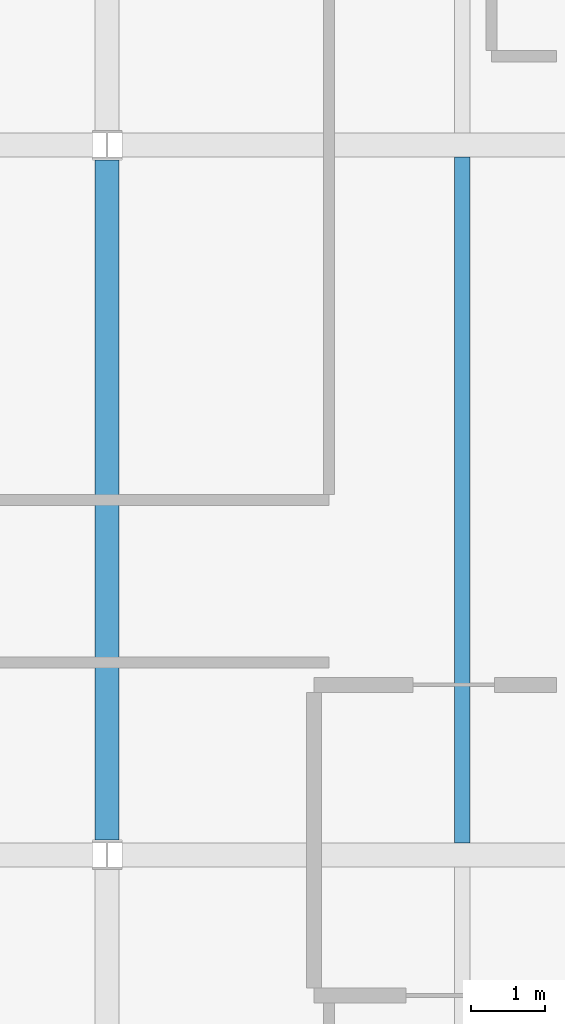
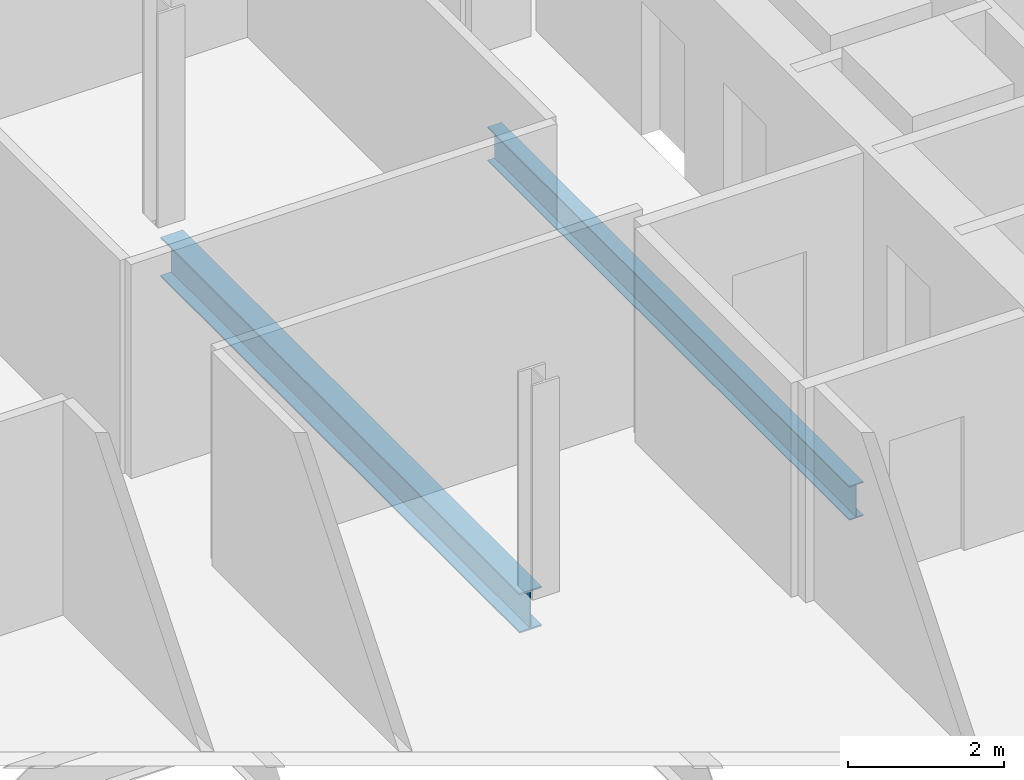
# One storey, part 5 of 16: 2 beams.
"""IFC4 building model written with IfcOpenShell, lengths in metres."""

from ifc_helpers import new_model, si_unit, direction, frame, origin, origin_2d, place, context, subcontext, project, spatial, i_section, extrude, material, material_profile, profile_set, type_object, element, save


model = new_model("IFC4")

# Units and contexts
model_context = context("Model", 3, precision=1e-05, world=origin(), true_north=direction((0.0, 1.0)))
body_context = subcontext(model_context, "Body", "Model", "MODEL_VIEW")
ifc_project = project(units=[si_unit("LENGTHUNIT", "METRE"), si_unit("AREAUNIT", "SQUARE_METRE"), si_unit("VOLUMEUNIT", "CUBIC_METRE"), si_unit("PLANEANGLEUNIT", "RADIAN"), si_unit("MASSUNIT", "GRAM", prefix="KILO")], contexts=[model_context])

# Site, building, storey
site_placement = place(None, origin())
site = spatial("IfcSite", under=ifc_project, at=site_placement, CompositionType="ELEMENT")
building_placement = place(site_placement, origin())
building = spatial("IfcBuilding", under=site, at=building_placement, Name="Cobrizo Arcos Hotel Tower", CompositionType="ELEMENT")
storey_placement = place(building_placement, frame((0.0, 0.0, 113.5)))
storey = spatial("IfcBuildingStorey", under=building, at=storey_placement, Name="L28", CompositionType="ELEMENT", Elevation=113.5)

# Beams
ifc_material = material(Name="Steel ASTM A992 Grade 50", Category="steel")
ifc_material_profile_1 = material_profile(ifc_material, i_section(OverallWidth=0.209228515625, OverallDepth=0.533447265625, WebThickness=0.01025390625, FlangeThickness=0.015625, at=origin_2d()), Name="W21X62")
ifc_profile_set_1 = profile_set([ifc_material_profile_1], Name="Steel ASTM A992 Grade 50")
beam_type_1 = type_object("IfcBeamType", Name="W21X62 joist", PredefinedType="JOIST", material=ifc_profile_set_1)
beam_1_placement = place(storey_placement, frame((14.39990234375, 0.163818359375, -0.416748046875), z_axis=(0.0, 1.0, 0.0), x_axis=(-1.0, 0.0, 0.0)))
element("IfcBeam", 1, at=beam_1_placement, inside=storey, type_object=beam_type_1, Name="Floor joist J1, L28, no. 017", PredefinedType="JOIST", context=body_context, shape_type="SweptSolid", body=[
    extrude(i_section(OverallWidth=0.209228515625, OverallDepth=0.533447265625, WebThickness=0.01025390625, FlangeThickness=0.015625, at=origin_2d()), origin(), (0.0, 0.0, 1.0), 9.272216796875),
])
ifc_material_profile_2 = material_profile(ifc_material, i_section(OverallWidth=0.32763671875, OverallDepth=0.622314453125, WebThickness=0.015380859375, FlangeThickness=0.0244140625, at=origin_2d()), Name="W24X131")
ifc_profile_set_2 = profile_set([ifc_material_profile_2], Name="Steel ASTM A992 Grade 50")
beam_type_2 = type_object("IfcBeamType", Name="W24X131 girder", PredefinedType="BEAM", material=ifc_profile_set_2)
beam_2_placement = place(storey_placement, frame((9.60009765625, 0.199462890625, -0.461181640625), z_axis=(0.0, 1.0, 0.0), x_axis=(-1.0, 0.0, 0.0)))
element("IfcBeam", 2, at=beam_2_placement, inside=storey, type_object=beam_type_2, Name="Floor girder G1, L28, no. 023", PredefinedType="BEAM", context=body_context, shape_type="SweptSolid", body=[
    extrude(i_section(OverallWidth=0.32763671875, OverallDepth=0.622314453125, WebThickness=0.015380859375, FlangeThickness=0.0244140625, at=origin_2d()), origin(), (0.0, 0.0, 1.0), 9.201171875),
])

save(model, "model.ifc")
